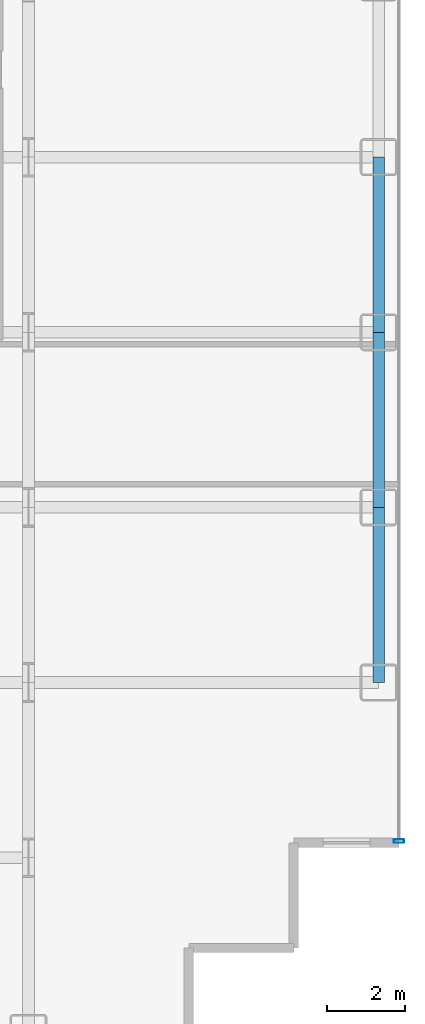
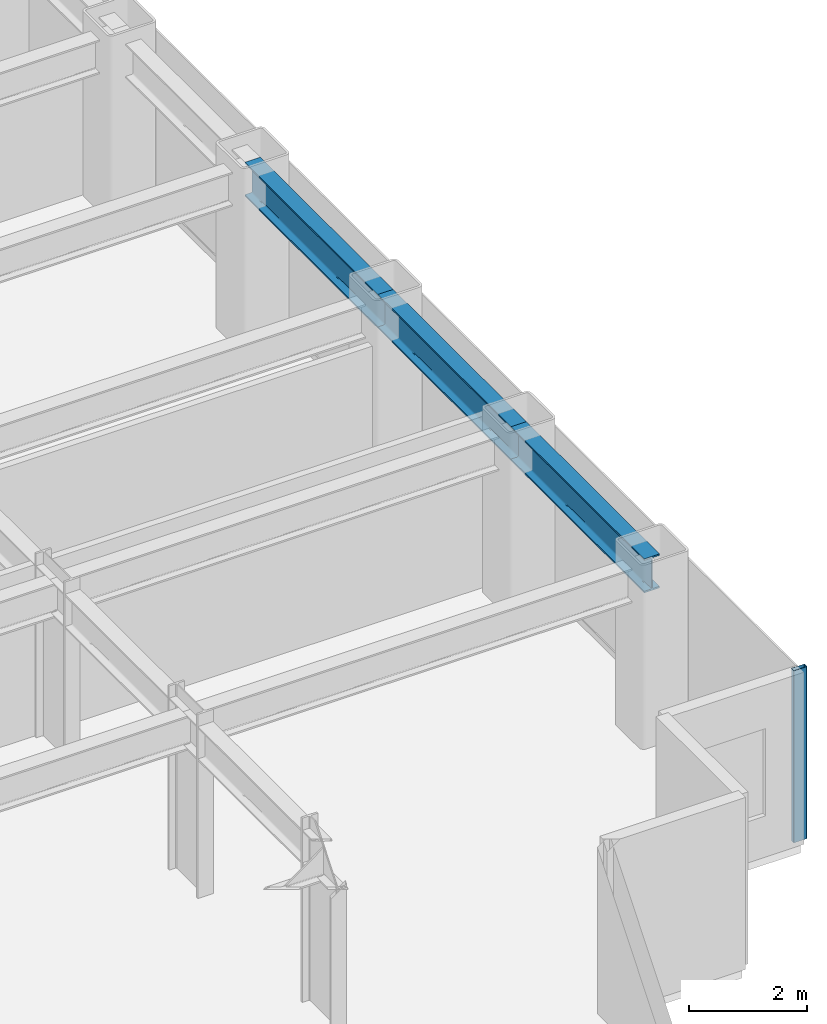
# One storey, part 16 of 26: 3 beams, 1 member, 1 element without a shape of its own.
"""IFC4 building model written with IfcOpenShell, lengths in metres."""

from ifc_helpers import new_model, si_unit, direction, frame, origin, origin_2d, place, context, subcontext, project, spatial, hollow_rectangle, i_section, extrude, source, transform, mapped, material, layer, layer_set, material_profile, profile_set, type_object, element, aggregate, save


model = new_model("IFC4")

# Units and contexts
model_context = context("Model", 3, precision=1e-05, world=origin(), true_north=direction((0.0, 1.0)))
body_context = subcontext(model_context, "Body", "Model", "MODEL_VIEW")
ifc_project = project(units=[si_unit("LENGTHUNIT", "METRE"), si_unit("AREAUNIT", "SQUARE_METRE"), si_unit("VOLUMEUNIT", "CUBIC_METRE"), si_unit("PLANEANGLEUNIT", "RADIAN"), si_unit("MASSUNIT", "GRAM", prefix="KILO")], contexts=[model_context])

# Site, building, storey
site_placement = place(None, origin())
site = spatial("IfcSite", under=ifc_project, at=site_placement, CompositionType="ELEMENT")
building_placement = place(site_placement, origin())
building = spatial("IfcBuilding", under=site, at=building_placement, Name="Nefas-Gora Pilgrimage Tower", CompositionType="ELEMENT")
storey_placement = place(building_placement, frame((0.0, 0.0, 36.800048828125)))
storey = spatial("IfcBuildingStorey", under=building, at=storey_placement, Name="L07", CompositionType="ELEMENT", Elevation=36.800048828125)

# Beams
ifc_material_1 = material(Name="Steel S355", Category="steel")
ifc_material_profile_1 = material_profile(ifc_material_1, i_section(OverallWidth=0.300048828125, OverallDepth=0.699951171875, WebThickness=0.01708984375, FlangeThickness=0.031982421875, FilletRadius=0.027099609375, at=origin_2d()), Name="HEB 700")
ifc_profile_set_1 = profile_set([ifc_material_profile_1], Name="Steel S355")
beam_type = type_object("IfcBeamType", Name="BM-SPN-HEB600", PredefinedType="SPANDREL", material=ifc_profile_set_1)
shared_shape_1 = source(origin(), body_context, "Body", "SweptSolid", [
    extrude(i_section(OverallWidth=0.300048828125, OverallDepth=0.699951171875, WebThickness=0.01708984375, FlangeThickness=0.031982421875, FilletRadius=0.027099609375, at=origin_2d()), origin(), (0.0, 0.0, 1.0), 4.5),
])
for number, where, z_axis, x_axis, name in (
    (1, (33.75, -13.5, 3.199951171875), (0.0, 1.0, 0.0), (-1.0, 0.0, 0.0), "L07 SP-01 beam"),
    (2, (33.75, -9.0, 3.199951171875), (0.0, 1.0, 0.0), (-1.0, 0.0, 0.0), "L07 SP-01 beam"),
    (3, (33.75, -4.5, 3.199951171875), (0.0, 1.0, 0.0), (-1.0, 0.0, 0.0), "L07 SP-01 beam"),
):
    element("IfcBeam", number, at=place(storey_placement, frame(where, z_axis=z_axis, x_axis=x_axis)), inside=storey, type_object=beam_type, Name=name, PredefinedType="SPANDREL", context=body_context, shape_type="MappedRepresentation", body=[
        mapped(shared_shape_1, transform((0.0, 0.0, 0.0), x_axis=(1.0, 0.0, 0.0), y_axis=(0.0, 1.0, 0.0), z_axis=(0.0, 0.0, 1.0), scale=1.0)),
    ])

# Curtain wall, member
ifc_material_2 = material(Name="Dark ceramic-fritted solar-control aluminium-glass curtain wall", Category="aluminium")
ifc_layer = layer(ifc_material_2, 0.219970703125)
ifc_layer_set = layer_set([ifc_layer], Name="Dark ceramic-fritted solar-control aluminium-glass curtain wall")
curtain_wall_type = type_object("IfcCurtainWallType", Name="CW-SYS-2", PredefinedType="NOTDEFINED", material=ifc_layer_set)
curtain_wall_placement = place(storey_placement, origin())
curtain_wall = element("IfcCurtainWall", 4, at=curtain_wall_placement, inside=storey, type_object=curtain_wall_type, Name="L07 Unitised Curtain Wall CW2", PredefinedType="NOTDEFINED")
ifc_material_3 = material(Name="Anodised architectural aluminium", Category="aluminium")
ifc_material_profile_2 = material_profile(ifc_material_3, hollow_rectangle(XDim=0.090087890625, YDim=0.260009765625, WallThickness=0.006103515625, InnerFilletRadius=0.006103515625, OuterFilletRadius=0.011962890625, at=origin_2d()), Name="ALU MULLION 90x260")
ifc_profile_set_2 = profile_set([ifc_material_profile_2], Name="Anodised architectural aluminium")
member_type = type_object("IfcMemberType", Name="CWM-MUL-2", PredefinedType="MULLION", material=ifc_profile_set_2)
shared_shape_2 = source(origin(), body_context, "Body", "SweptSolid", [
    extrude(hollow_rectangle(XDim=0.090087890625, YDim=0.260009765625, WallThickness=0.006103515625, InnerFilletRadius=0.006103515625, OuterFilletRadius=0.011962890625, at=origin_2d()), origin(), (0.0, 0.0, 1.0), 3.550048828125),
])
member_placement = place(storey_placement, frame((34.27001953125, -17.574951171875, 0.0), z_axis=(0.0, 0.0, 1.0), x_axis=(0.0, 1.0, 0.0)))
member = element("IfcMember", 5, at=member_placement, type_object=member_type, Name="CW2 Mullion 1", PredefinedType="MULLION", context=body_context, shape_type="MappedRepresentation", body=[
    mapped(shared_shape_2, transform((0.0, 0.0, 0.0), x_axis=(1.0, 0.0, 0.0), y_axis=(0.0, 1.0, 0.0), z_axis=(0.0, 0.0, 1.0), scale=1.0)),
])
aggregate(curtain_wall, [member])

save(model, "model.ifc")
